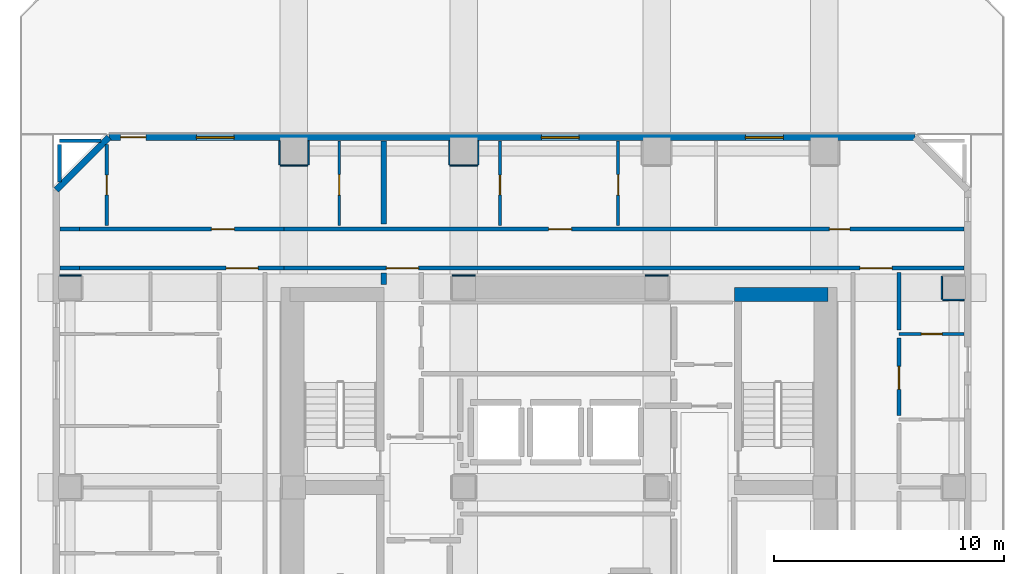
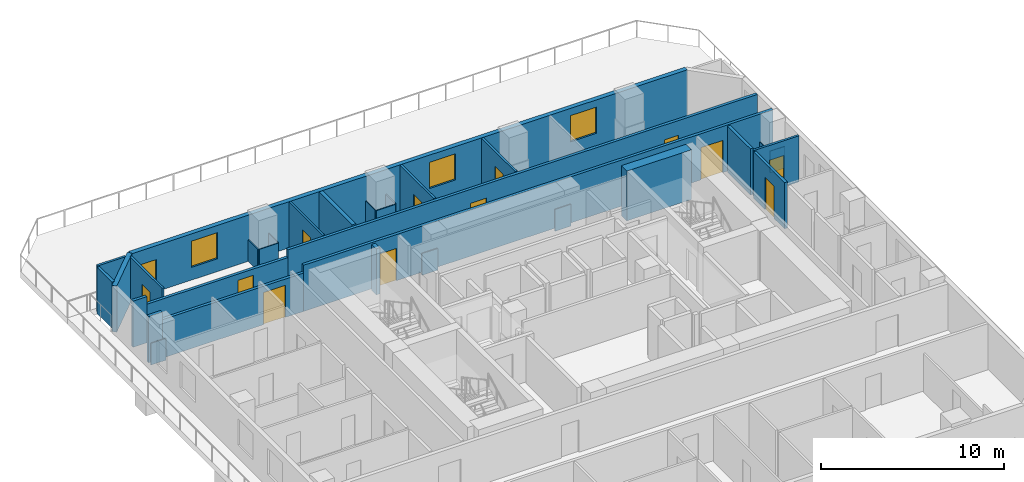
# One storey, part 6 of 11: 31 walls, 13 doors, 3 windows, 16 openings.
"""IFC4 building model written with IfcOpenShell, lengths in metres."""

from ifc_helpers import new_model, si_unit, direction, frame, frame_2d, origin, place, context, subcontext, project, spatial, rectangle, extrude, material, layer, layer_set, type_object, element, fill, save


model = new_model("IFC4")

# Units and contexts
model_context = context("Model", 3, precision=1e-05, world=origin(), true_north=direction((0.0, 1.0)))
body_context = subcontext(model_context, "Body", "Model", "MODEL_VIEW")
ifc_project = project(units=[si_unit("LENGTHUNIT", "METRE"), si_unit("AREAUNIT", "SQUARE_METRE"), si_unit("VOLUMEUNIT", "CUBIC_METRE"), si_unit("PLANEANGLEUNIT", "RADIAN"), si_unit("MASSUNIT", "GRAM", prefix="KILO")], contexts=[model_context])

# Site, building, storey
site_placement = place(None, origin())
site = spatial("IfcSite", under=ifc_project, at=site_placement, CompositionType="ELEMENT")
building_placement = place(site_placement, origin())
building = spatial("IfcBuilding", under=site, at=building_placement, Name="Solanera Arch Residences", CompositionType="ELEMENT")
storey_placement = place(building_placement, frame((0.0, 0.0, 106.080078125)))
storey = spatial("IfcBuildingStorey", under=building, at=storey_placement, Name="L30", CompositionType="ELEMENT", Elevation=106.080078125)

# Walls
ifc_material_1 = material(Name="Fire-Rated Gypsum Stud Partition", Category="gypsum")
ifc_layer_1 = layer(ifc_material_1, 0.06005859375)
ifc_layer_set_1 = layer_set([ifc_layer_1], Name="Fire-Rated Gypsum Stud Partition")
wall_type_1 = type_object("IfcWallType", Name="Column Acoustic Furring Wall 60", PredefinedType="PARTITIONING", material=ifc_layer_set_1)
for number, where, z_axis, x_axis, name in (
    (1, (20.300048828125, 39.931884765625, 0.0), (0.0, 0.0, 1.0), (1.0, 0.0, 0.0), "L30 Column Furring 3N"),
    (2, (28.699951171875, 39.931884765625, 0.0), (0.0, 0.0, 1.0), (1.0, 0.0, 0.0), "L30 Column Furring 4N"),
):
    element("IfcWall", number, at=place(storey_placement, frame(where, z_axis=z_axis, x_axis=x_axis)), inside=storey, type_object=wall_type_1, Name=name, PredefinedType="PARTITIONING", context=body_context, shape_type="SweptSolid", body=[
        extrude(rectangle(XDim=1.0, YDim=0.06005859375, at=frame_2d((0.5, 0.0))), origin(), (0.0, 0.0, 1.0), 1.449951171875),
    ])
wall_1_placement = place(storey_placement, frame((12.800048828125, 44.718017578125, 0.0), z_axis=(0.0, 0.0, 1.0), x_axis=(1.0, 0.0, 0.0)))
element("IfcWall", 3, at=wall_1_placement, inside=storey, type_object=wall_type_1, Name="L30 Column Furring 10S", PredefinedType="PARTITIONING", context=body_context, shape_type="SweptSolid", body=[
    extrude(rectangle(XDim=1.199951171875, YDim=0.06005859375, at=frame_2d((0.60009765625, 0.0))), origin(), (0.0, 0.0, 1.0), 1.449951171875),
])
for number, where, z_axis, x_axis, name in (
    (4, (12.76806640625, 44.75, 0.0), (0.0, 0.0, 1.0), (0.0, 1.0, 0.0), "L30 Column Furring 10W"),
    (5, (14.031982421875, 44.75, 0.0), (0.0, 0.0, 1.0), (0.0, 1.0, 0.0), "L30 Column Furring 10E"),
):
    element("IfcWall", number, at=place(storey_placement, frame(where, z_axis=z_axis, x_axis=x_axis)), inside=storey, type_object=wall_type_1, Name=name, PredefinedType="PARTITIONING", context=body_context, shape_type="SweptSolid", body=[
        extrude(rectangle(XDim=1.0400390625, YDim=0.06005859375, at=frame_2d((0.52001953125, 0.0))), origin(), (0.0, 0.0, 1.0), 1.449951171875),
    ])
wall_2_placement = place(storey_placement, frame((20.199951171875, 44.718017578125, 0.0), z_axis=(0.0, 0.0, 1.0), x_axis=(1.0, 0.0, 0.0)))
element("IfcWall", 6, at=wall_2_placement, inside=storey, type_object=wall_type_1, Name="L30 Column Furring 12S", PredefinedType="PARTITIONING", context=body_context, shape_type="SweptSolid", body=[
    extrude(rectangle(XDim=1.199951171875, YDim=0.06005859375, at=frame_2d((0.60009765625, 0.0))), origin(), (0.0, 0.0, 1.0), 1.449951171875),
])
for number, where, z_axis, x_axis, name in (
    (7, (20.16796875, 44.75, 0.0), (0.0, 0.0, 1.0), (0.0, 1.0, 0.0), "L30 Column Furring 12W"),
    (8, (21.431884765625, 44.75, 0.0), (0.0, 0.0, 1.0), (0.0, 1.0, 0.0), "L30 Column Furring 12E"),
):
    element("IfcWall", number, at=place(storey_placement, frame(where, z_axis=z_axis, x_axis=x_axis)), inside=storey, type_object=wall_type_1, Name=name, PredefinedType="PARTITIONING", context=body_context, shape_type="SweptSolid", body=[
        extrude(rectangle(XDim=1.0400390625, YDim=0.06005859375, at=frame_2d((0.52001953125, 0.0))), origin(), (0.0, 0.0, 1.0), 1.449951171875),
    ])
wall_3_placement = place(storey_placement, frame((3.2099609375, 39.931884765625, 0.0), z_axis=(0.0, 0.0, 1.0), x_axis=(1.0, 0.0, 0.0)))
element("IfcWall", 9, at=wall_3_placement, inside=storey, type_object=wall_type_1, Name="L30 Column Furring 21N", PredefinedType="PARTITIONING", context=body_context, shape_type="SweptSolid", body=[
    extrude(rectangle(XDim=0.93994140625, YDim=0.06005859375, at=frame_2d((0.469970703125, 0.0))), origin(), (0.0, 0.0, 1.0), 1.449951171875),
])
wall_4_placement = place(storey_placement, frame((41.64990234375, 38.867919921875, 0.0), z_axis=(0.0, 0.0, 1.0), x_axis=(1.0, 0.0, 0.0)))
element("IfcWall", 10, at=wall_4_placement, inside=storey, type_object=wall_type_1, Name="L30 Column Furring 22S", PredefinedType="PARTITIONING", context=body_context, shape_type="SweptSolid", body=[
    extrude(rectangle(XDim=0.940185546875, YDim=0.06005859375, at=frame_2d((0.47021484375, 0.0))), origin(), (0.0, 0.0, 1.0), 1.449951171875),
])
wall_5_placement = place(storey_placement, frame((41.617919921875, 38.89990234375, 0.0), z_axis=(0.0, 0.0, 1.0), x_axis=(0.0, 1.0, 0.0)))
element("IfcWall", 11, at=wall_5_placement, inside=storey, type_object=wall_type_1, Name="L30 Column Furring 22W", PredefinedType="PARTITIONING", context=body_context, shape_type="SweptSolid", body=[
    extrude(rectangle(XDim=1.0, YDim=0.06005859375, at=frame_2d((0.5, 0.0))), origin(), (0.0, 0.0, 1.0), 1.449951171875),
])
ifc_material_2 = material(Name="Concrete C40/50 (f'c = 45 MPa)", Category="concrete")
ifc_layer_2 = layer(ifc_material_2, 0.60009765625)
ifc_layer_set_2 = layer_set([ifc_layer_2], Name="Concrete C40/50 (f'c = 45 MPa)")
wall_type_2 = type_object("IfcWallType", Name="Core Shear Wall CW-600", PredefinedType="SHEAR", material=ifc_layer_set_2)
wall_6_placement = place(storey_placement, frame((32.580078125, 39.10009765625, 0.0), z_axis=(0.0, 0.0, 1.0), x_axis=(1.0, 0.0, 0.0)))
element("IfcWall", 12, at=wall_6_placement, inside=storey, type_object=wall_type_2, Name="L30 North-East Core Shear Wall", PredefinedType="SHEAR", context=body_context, shape_type="SweptSolid", body=[
    extrude(rectangle(XDim=4.079833984375, YDim=0.60009765625, at=frame_2d((2.0400390625, 0.0))), origin(), (0.0, 0.0, 1.0), 3.31982421875),
])
ifc_material_3 = material(Name="Autoclaved Aerated Concrete Blockwork", Category="masonry")
ifc_layer_3 = layer(ifc_material_3, 0.179931640625)
ifc_layer_set_3 = layer_set([ifc_layer_3], Name="Autoclaved Aerated Concrete Blockwork")
wall_type_3 = type_object("IfcWallType", Name="Corridor Fire Partition 180", PredefinedType="PARTITIONING", material=ifc_layer_set_3)
wall_7_placement = place(storey_placement, frame((3.20703125, 40.25, 0.0), z_axis=(0.0, 0.0, 1.0), x_axis=(1.0, 0.0, 0.0)))
element("IfcWall", 13, at=wall_7_placement, inside=storey, type_object=wall_type_3, Name="L30 Interior Partition H11 1", PredefinedType="PARTITIONING", context=body_context, shape_type="SweptSolid", body=[
    extrude(rectangle(XDim=0.864013671875, YDim=0.179931640625, at=frame_2d((0.43212890625, 0.0))), origin(), (0.0, 0.0, 1.0), 3.079833984375),
])

# Wall, opening, door
wall_8_placement = place(storey_placement, frame((4.071044921875, 40.25, 0.0), z_axis=(0.0, 0.0, 1.0), x_axis=(1.0, 0.0, 0.0)))
wall_8 = element("IfcWall", 14, at=wall_8_placement, inside=storey, type_object=wall_type_3, Name="L30 Interior Partition H11 2", PredefinedType="PARTITIONING", context=body_context, shape_type="SweptSolid", body=[
    extrude(rectangle(XDim=8.907958984375, YDim=0.179931640625, at=frame_2d((4.4541015625, 0.0))), origin(), (0.0, 0.0, 1.0), 2.56494140625),
])
opening_1_placement = place(wall_8_placement, frame((6.37890625, 0.0, 0.0)))
opening_1 = element("IfcOpeningElement", 15, at=opening_1_placement, cuts=wall_8, Name="Opening DF-03", PredefinedType="OPENING", context=body_context, shape_type="SweptSolid", body=[
    extrude(rectangle(XDim=1.39990234375, YDim=2.14990234375, at=frame_2d((0.699951171875, 1.074951171875))), frame((0.0, 0.10009765625, 0.0), z_axis=(0.0, -1.0, 0.0), x_axis=(1.0, 0.0, 0.0)), (0.0, 0.0, 1.0), 0.1999),
])
ifc_material_4 = material(Name="Fire-Rated Architectural Hardwood", Category="wood")
door_type_1 = type_object("IfcDoorType", Name="Corridor Smoke Door DF-03", OperationType="NOTDEFINED", PredefinedType="DOOR", material=ifc_material_4)
door_1_placement = place(opening_1_placement, origin())
door_1 = element("IfcDoor", 16, at=door_1_placement, inside=storey, type_object=door_type_1, Name="DR-L30-IN-012", OperationType="SINGLE_SWING_LEFT", OverallHeight=2.14990234375, OverallWidth=1.39990234375, PredefinedType="DOOR", context=body_context, shape_type="SweptSolid", body=[
    extrude(rectangle(XDim=1.39990234375, YDim=2.14990234375, at=frame_2d((0.699951171875, 1.074951171875))), frame((0.0, 0.02490234375, 0.0), z_axis=(0.0, -1.0, 0.0), x_axis=(1.0, 0.0, 0.0)), (0.0, 0.0, 1.0), 0.050048828125),
])
fill(opening_1, door_1)

# Wall, openings, doors
wall_9_placement = place(storey_placement, frame((12.97900390625, 40.25, 0.0), z_axis=(0.0, 0.0, 1.0), x_axis=(1.0, 0.0, 0.0)))
wall_9 = element("IfcWall", 17, at=wall_9_placement, inside=storey, type_object=wall_type_3, Name="L30 Interior Partition H11 3", PredefinedType="PARTITIONING", context=body_context, shape_type="SweptSolid", body=[
    extrude(rectangle(XDim=29.614013671875, YDim=0.179931640625, at=frame_2d((14.80712890625, 0.0))), origin(), (0.0, 0.0, 1.0), 3.079833984375),
])
opening_2_placement = place(wall_9_placement, frame((4.4560546875, 0.0, 0.0)))
opening_2 = element("IfcOpeningElement", 18, at=opening_2_placement, cuts=wall_9, Name="Opening DF-03", PredefinedType="OPENING", context=body_context, shape_type="SweptSolid", body=[
    extrude(rectangle(XDim=1.39990234375, YDim=2.14990234375, at=frame_2d((0.699951171875, 1.074951171875))), frame((0.0, 0.10009765625, 0.0), z_axis=(0.0, -1.0, 0.0), x_axis=(1.0, 0.0, 0.0)), (0.0, 0.0, 1.0), 0.1999),
])
opening_3_placement = place(wall_9_placement, frame((25.071044921875, 0.0, 0.0)))
opening_3 = element("IfcOpeningElement", 19, at=opening_3_placement, cuts=wall_9, Name="Opening DF-03", PredefinedType="OPENING", context=body_context, shape_type="SweptSolid", body=[
    extrude(rectangle(XDim=1.39990234375, YDim=2.14990234375, at=frame_2d((0.699951171875, 1.074951171875))), frame((0.0, 0.10009765625, 0.0), z_axis=(0.0, -1.0, 0.0), x_axis=(1.0, 0.0, 0.0)), (0.0, 0.0, 1.0), 0.1999),
])
door_2_placement = place(opening_2_placement, origin())
door_2 = element("IfcDoor", 20, at=door_2_placement, inside=storey, type_object=door_type_1, Name="DR-L30-IN-009", OperationType="SINGLE_SWING_RIGHT", OverallHeight=2.14990234375, OverallWidth=1.39990234375, PredefinedType="DOOR", context=body_context, shape_type="SweptSolid", body=[
    extrude(rectangle(XDim=1.39990234375, YDim=2.14990234375, at=frame_2d((0.699951171875, 1.074951171875))), frame((0.0, 0.02490234375, 0.0), z_axis=(0.0, -1.0, 0.0), x_axis=(1.0, 0.0, 0.0)), (0.0, 0.0, 1.0), 0.050048828125),
])
fill(opening_2, door_2)
door_3_placement = place(opening_3_placement, origin())
door_3 = element("IfcDoor", 21, at=door_3_placement, inside=storey, type_object=door_type_1, Name="DR-L30-IN-013", OperationType="SINGLE_SWING_RIGHT", OverallHeight=2.14990234375, OverallWidth=1.39990234375, PredefinedType="DOOR", context=body_context, shape_type="SweptSolid", body=[
    extrude(rectangle(XDim=1.39990234375, YDim=2.14990234375, at=frame_2d((0.699951171875, 1.074951171875))), frame((0.0, 0.02490234375, 0.0), z_axis=(0.0, -1.0, 0.0), x_axis=(1.0, 0.0, 0.0)), (0.0, 0.0, 1.0), 0.050048828125),
])
fill(opening_3, door_3)

# Wall
wall_10_placement = place(storey_placement, frame((3.20703125, 41.949951171875, 0.0), z_axis=(0.0, 0.0, 1.0), x_axis=(1.0, 0.0, 0.0)))
element("IfcWall", 22, at=wall_10_placement, inside=storey, type_object=wall_type_3, Name="L30 Interior Partition H12 1", PredefinedType="PARTITIONING", context=body_context, shape_type="SweptSolid", body=[
    extrude(rectangle(XDim=0.864013671875, YDim=0.179931640625, at=frame_2d((0.43212890625, 0.0))), origin(), (0.0, 0.0, 1.0), 3.079833984375),
])

# Wall, opening, door
wall_11_placement = place(storey_placement, frame((4.071044921875, 41.949951171875, 0.0), z_axis=(0.0, 0.0, 1.0), x_axis=(1.0, 0.0, 0.0)))
wall_11 = element("IfcWall", 23, at=wall_11_placement, inside=storey, type_object=wall_type_3, Name="L30 Interior Partition H12 2", PredefinedType="PARTITIONING", context=body_context, shape_type="SweptSolid", body=[
    extrude(rectangle(XDim=8.907958984375, YDim=0.179931640625, at=frame_2d((4.4541015625, 0.0))), origin(), (0.0, 0.0, 1.0), 2.56494140625),
])
opening_4_placement = place(wall_11_placement, frame((5.741943359375, 0.0, 0.0)))
opening_4 = element("IfcOpeningElement", 24, at=opening_4_placement, cuts=wall_11, Name="Opening DI-01", PredefinedType="OPENING", context=body_context, shape_type="SweptSolid", body=[
    extrude(rectangle(XDim=1.0, YDim=2.14990234375, at=frame_2d((0.5, 1.074951171875))), frame((0.0, 0.10009765625, 0.0), z_axis=(0.0, -1.0, 0.0), x_axis=(1.0, 0.0, 0.0)), (0.0, 0.0, 1.0), 0.1999),
])
ifc_material_5 = material(Name="Fire-Rated Architectural Hardwood", Category="wood")
door_type_2 = type_object("IfcDoorType", Name="Unit Entrance Fire Door DI-01", OperationType="NOTDEFINED", PredefinedType="DOOR", material=ifc_material_5)
door_4_placement = place(opening_4_placement, origin())
door_4 = element("IfcDoor", 25, at=door_4_placement, inside=storey, type_object=door_type_2, Name="DR-L30-IN-029", OperationType="SINGLE_SWING_RIGHT", OverallHeight=2.14990234375, OverallWidth=1.0, PredefinedType="DOOR", context=body_context, shape_type="SweptSolid", body=[
    extrude(rectangle(XDim=1.0, YDim=2.14990234375, at=frame_2d((0.5, 1.074951171875))), frame((0.0, 0.02490234375, 0.0), z_axis=(0.0, -1.0, 0.0), x_axis=(1.0, 0.0, 0.0)), (0.0, 0.0, 1.0), 0.050048828125),
])
fill(opening_4, door_4)

# Wall, openings, doors
wall_12_placement = place(storey_placement, frame((12.97900390625, 41.949951171875, 0.0), z_axis=(0.0, 0.0, 1.0), x_axis=(1.0, 0.0, 0.0)))
wall_12 = element("IfcWall", 26, at=wall_12_placement, inside=storey, type_object=wall_type_3, Name="L30 Interior Partition H12 3", PredefinedType="PARTITIONING", context=body_context, shape_type="SweptSolid", body=[
    extrude(rectangle(XDim=29.614013671875, YDim=0.179931640625, at=frame_2d((14.80712890625, 0.0))), origin(), (0.0, 0.0, 1.0), 3.079833984375),
])
opening_5_placement = place(wall_12_placement, frame((11.52099609375, 0.0, 0.0)))
opening_5 = element("IfcOpeningElement", 27, at=opening_5_placement, cuts=wall_12, Name="Opening DI-01", PredefinedType="OPENING", context=body_context, shape_type="SweptSolid", body=[
    extrude(rectangle(XDim=1.0, YDim=2.14990234375, at=frame_2d((0.5, 1.074951171875))), frame((0.0, 0.10009765625, 0.0), z_axis=(0.0, -1.0, 0.0), x_axis=(1.0, 0.0, 0.0)), (0.0, 0.0, 1.0), 0.1999),
])
opening_6_placement = place(wall_12_placement, frame((23.736083984375, 0.0, 0.0)))
opening_6 = element("IfcOpeningElement", 28, at=opening_6_placement, cuts=wall_12, Name="Opening DI-02", PredefinedType="OPENING", context=body_context, shape_type="SweptSolid", body=[
    extrude(rectangle(XDim=0.89990234375, YDim=2.10009765625, at=frame_2d((0.449951171875, 1.050048828125))), frame((0.0, 0.10009765625, 0.0), z_axis=(0.0, -1.0, 0.0), x_axis=(1.0, 0.0, 0.0)), (0.0, 0.0, 1.0), 0.1999),
])
ifc_material_6 = material(Name="Fire-Rated Architectural Hardwood", Category="wood")
door_type_3 = type_object("IfcDoorType", Name="Suite Room Swing Door DI-02", OperationType="NOTDEFINED", PredefinedType="DOOR", material=ifc_material_6)
door_5_placement = place(opening_6_placement, origin())
door_5 = element("IfcDoor", 29, at=door_5_placement, inside=storey, type_object=door_type_3, Name="DR-L30-IN-035", OperationType="SINGLE_SWING_RIGHT", OverallHeight=2.10009765625, OverallWidth=0.89990234375, PredefinedType="DOOR", context=body_context, shape_type="SweptSolid", body=[
    extrude(rectangle(XDim=0.89990234375, YDim=2.10009765625, at=frame_2d((0.449951171875, 1.050048828125))), frame((0.0, 0.02490234375, 0.0), z_axis=(0.0, -1.0, 0.0), x_axis=(1.0, 0.0, 0.0)), (0.0, 0.0, 1.0), 0.050048828125),
])
fill(opening_6, door_5)
door_6_placement = place(opening_5_placement, origin())
door_6 = element("IfcDoor", 30, at=door_6_placement, inside=storey, type_object=door_type_2, Name="DR-L30-IN-032", OperationType="SINGLE_SWING_LEFT", OverallHeight=2.14990234375, OverallWidth=1.0, PredefinedType="DOOR", context=body_context, shape_type="SweptSolid", body=[
    extrude(rectangle(XDim=1.0, YDim=2.14990234375, at=frame_2d((0.5, 1.074951171875))), frame((0.0, 0.02490234375, 0.0), z_axis=(0.0, -1.0, 0.0), x_axis=(1.0, 0.0, 0.0)), (0.0, 0.0, 1.0), 0.050048828125),
])
fill(opening_5, door_6)

# Wall
wall_13_placement = place(storey_placement, frame((3.199951171875, 44.0048828125, 0.0), z_axis=(0.0, 0.0, 1.0), x_axis=(0.0, 1.0, 0.0)))
element("IfcWall", 31, at=wall_13_placement, inside=storey, type_object=wall_type_3, Name="L30 Interior Partition V8 2", PredefinedType="PARTITIONING", context=body_context, shape_type="SweptSolid", body=[
    extrude(rectangle(XDim=1.627197265625, YDim=0.179931640625, at=frame_2d((0.8134765625, 0.0))), origin(), (0.0, 0.0, 1.0), 3.079833984375),
])

# Wall, opening, door
wall_14_placement = place(storey_placement, frame((39.75, 33.830078125, 0.0), z_axis=(0.0, 0.0, 1.0), x_axis=(0.0, 1.0, 0.0)))
wall_14 = element("IfcWall", 32, at=wall_14_placement, inside=storey, type_object=wall_type_3, Name="L30 Interior Partition V13 5", PredefinedType="PARTITIONING", context=body_context, shape_type="SweptSolid", body=[
    extrude(rectangle(XDim=3.386962890625, YDim=0.179931640625, at=frame_2d((1.693359375, 0.0))), origin(), (0.0, 0.0, 1.0), 3.079833984375),
])
opening_7_placement = place(wall_14_placement, frame((1.14501953125, 0.0, 0.0)))
opening_7 = element("IfcOpeningElement", 33, at=opening_7_placement, cuts=wall_14, Name="Opening DI-01", PredefinedType="OPENING", context=body_context, shape_type="SweptSolid", body=[
    extrude(rectangle(XDim=1.0, YDim=2.14990234375, at=frame_2d((0.5, 1.074951171875))), frame((0.0, 0.10009765625, 0.0), z_axis=(0.0, -1.0, 0.0), x_axis=(1.0, 0.0, 0.0)), (0.0, 0.0, 1.0), 0.1999),
])
door_7_placement = place(opening_7_placement, origin())
door_7 = element("IfcDoor", 34, at=door_7_placement, inside=storey, type_object=door_type_2, Name="DR-L30-IN-047", OperationType="SINGLE_SWING_RIGHT", OverallHeight=2.14990234375, OverallWidth=1.0, PredefinedType="DOOR", context=body_context, shape_type="SweptSolid", body=[
    extrude(rectangle(XDim=1.0, YDim=2.14990234375, at=frame_2d((0.5, 1.074951171875))), frame((0.0, 0.02490234375, 0.0), z_axis=(0.0, -1.0, 0.0), x_axis=(1.0, 0.0, 0.0)), (0.0, 0.0, 1.0), 0.050048828125),
])
fill(opening_7, door_7)

# Walls
wall_15_placement = place(storey_placement, frame((39.75, 37.552978515625, 0.0), z_axis=(0.0, 0.0, 1.0), x_axis=(0.0, 1.0, 0.0)))
element("IfcWall", 35, at=wall_15_placement, inside=storey, type_object=wall_type_3, Name="L30 Interior Partition V13 6", PredefinedType="PARTITIONING", context=body_context, shape_type="SweptSolid", body=[
    extrude(rectangle(XDim=2.509033203125, YDim=0.179931640625, at=frame_2d((1.25439453125, 0.0))), origin(), (0.0, 0.0, 1.0), 3.079833984375),
])
ifc_material_7 = material(Name="Precast Concrete C35/45", Category="concrete")
ifc_layer_4 = layer(ifc_material_7, 0.280029296875)
ifc_layer_set_4 = layer_set([ifc_layer_4], Name="Precast Concrete C35/45")
wall_type_4 = type_object("IfcWallType", Name="Exterior Wall Precast Masonry-Frame 280", PredefinedType="STANDARD", material=ifc_layer_set_4)
wall_16_placement = place(storey_placement, frame((3.054931640625, 43.64501953125, 0.0), z_axis=(0.0, 0.0, 1.0), x_axis=(0.707106781187, 0.707106781187, 0.0)))
element("IfcWall", 36, at=wall_16_placement, inside=storey, type_object=wall_type_4, Name="L30 Tower Exterior Precast Masonry-Frame Wall CH1", PredefinedType="STANDARD", context=body_context, shape_type="SweptSolid", body=[
    extrude(rectangle(XDim=3.252685546875, YDim=0.280029296875, at=frame_2d((1.62646484375, 0.0))), origin(), (0.0, 0.0, 1.0), 3.079833984375),
])

# Wall, openings, door, windows
wall_17_placement = place(storey_placement, frame((5.35498046875, 45.945068359375, 0.0), z_axis=(0.0, 0.0, 1.0), x_axis=(1.0, 0.0, 0.0)))
wall_17 = element("IfcWall", 37, at=wall_17_placement, inside=storey, type_object=wall_type_4, Name="L30 Tower Exterior Precast Masonry-Frame Wall N", PredefinedType="STANDARD", context=body_context, shape_type="SweptSolid", body=[
    extrude(rectangle(XDim=35.090087890625, YDim=0.280029296875, at=frame_2d((17.544921875, 0.0))), origin(), (0.0, 0.0, 1.0), 3.079833984375),
])
opening_8_placement = place(wall_17_placement, frame((0.5029296875, 0.0, 0.0)))
opening_8 = element("IfcOpeningElement", 38, at=opening_8_placement, cuts=wall_17, Name="Opening DB-02", PredefinedType="OPENING", context=body_context, shape_type="SweptSolid", body=[
    extrude(rectangle(XDim=1.10009765625, YDim=2.14990234375, at=frame_2d((0.550048828125, 1.074951171875))), frame((0.0, 0.14990234375, 0.0), z_axis=(0.0, -1.0, 0.0), x_axis=(1.0, 0.0, 0.0)), (0.0, 0.0, 1.0), 0.3),
])
opening_9_placement = place(wall_17_placement, frame((3.799072265625, 0.0, 0.85009765625)))
opening_9 = element("IfcOpeningElement", 39, at=opening_9_placement, cuts=wall_17, Name="Opening W-08", PredefinedType="OPENING", context=body_context, shape_type="SweptSolid", body=[
    extrude(rectangle(XDim=1.64990234375, YDim=1.75, at=frame_2d((0.824951171875, 0.875))), frame((0.0, 0.14990234375, 0.0), z_axis=(0.0, -1.0, 0.0), x_axis=(1.0, 0.0, 0.0)), (0.0, 0.0, 1.0), 0.3),
])
opening_10_placement = place(wall_17_placement, frame((18.820068359375, 0.0, 0.85009765625)))
opening_10 = element("IfcOpeningElement", 40, at=opening_10_placement, cuts=wall_17, Name="Opening W-08", PredefinedType="OPENING", context=body_context, shape_type="SweptSolid", body=[
    extrude(rectangle(XDim=1.64990234375, YDim=1.75, at=frame_2d((0.824951171875, 0.875))), frame((0.0, 0.14990234375, 0.0), z_axis=(0.0, -1.0, 0.0), x_axis=(1.0, 0.0, 0.0)), (0.0, 0.0, 1.0), 0.3),
])
opening_11_placement = place(wall_17_placement, frame((27.708984375, 0.0, 0.85009765625)))
opening_11 = element("IfcOpeningElement", 41, at=opening_11_placement, cuts=wall_17, Name="Opening W-08", PredefinedType="OPENING", context=body_context, shape_type="SweptSolid", body=[
    extrude(rectangle(XDim=1.64990234375, YDim=1.75, at=frame_2d((0.824951171875, 0.875))), frame((0.0, 0.14990234375, 0.0), z_axis=(0.0, -1.0, 0.0), x_axis=(1.0, 0.0, 0.0)), (0.0, 0.0, 1.0), 0.3),
])
ifc_material_8 = material(Name="Anodised Aluminium Alloy 6063-T6", Category="aluminium")
door_type_4 = type_object("IfcDoorType", Name="Glazed Terrace Swing Door DB-02", OperationType="NOTDEFINED", PredefinedType="DOOR", material=ifc_material_8)
door_8_placement = place(opening_8_placement, origin())
door_8 = element("IfcDoor", 42, at=door_8_placement, inside=storey, type_object=door_type_4, Name="DR-L30-OUT-01", OperationType="SINGLE_SWING_RIGHT", OverallHeight=2.14990234375, OverallWidth=1.10009765625, PredefinedType="DOOR", context=body_context, shape_type="SweptSolid", body=[
    extrude(rectangle(XDim=1.10009765625, YDim=2.14990234375, at=frame_2d((0.550048828125, 1.074951171875))), frame((0.0, 0.02490234375, 0.0), z_axis=(0.0, -1.0, 0.0), x_axis=(1.0, 0.0, 0.0)), (0.0, 0.0, 1.0), 0.050048828125),
])
fill(opening_8, door_8)
ifc_material_9 = material(Name="Double Glazed Low-E Laminated Glass", Category="glass")
window_type = type_object("IfcWindowType", Name="Punched Window W-08", PartitioningType="DOUBLE_PANEL_HORIZONTAL", PredefinedType="WINDOW", material=ifc_material_9)
window_1_placement = place(opening_9_placement, origin())
window_1 = element("IfcWindow", 43, at=window_1_placement, inside=storey, type_object=window_type, Name="L30 3004-LIV Punched Window", OverallHeight=1.75, OverallWidth=1.64990234375, PartitioningType="SINGLE_PANEL", PredefinedType="WINDOW", context=body_context, shape_type="SweptSolid", body=[
    extrude(rectangle(XDim=1.64990234375, YDim=1.75, at=frame_2d((0.824951171875, 0.875))), frame((0.0, 0.030029296875, 0.0), z_axis=(0.0, -1.0, 0.0), x_axis=(1.0, 0.0, 0.0)), (0.0, 0.0, 1.0), 0.06005859375),
])
fill(opening_9, window_1)
window_2_placement = place(opening_10_placement, origin())
window_2 = element("IfcWindow", 44, at=window_2_placement, inside=storey, type_object=window_type, Name="L30 3005-LIV Punched Window", OverallHeight=1.75, OverallWidth=1.64990234375, PartitioningType="SINGLE_PANEL", PredefinedType="WINDOW", context=body_context, shape_type="SweptSolid", body=[
    extrude(rectangle(XDim=1.64990234375, YDim=1.75, at=frame_2d((0.824951171875, 0.875))), frame((0.0, 0.030029296875, 0.0), z_axis=(0.0, -1.0, 0.0), x_axis=(1.0, 0.0, 0.0)), (0.0, 0.0, 1.0), 0.06005859375),
])
fill(opening_10, window_2)
window_3_placement = place(opening_11_placement, origin())
window_3 = element("IfcWindow", 45, at=window_3_placement, inside=storey, type_object=window_type, Name="L30 AMN-OFF Punched Window", OverallHeight=1.75, OverallWidth=1.64990234375, PartitioningType="SINGLE_PANEL", PredefinedType="WINDOW", context=body_context, shape_type="SweptSolid", body=[
    extrude(rectangle(XDim=1.64990234375, YDim=1.75, at=frame_2d((0.824951171875, 0.875))), frame((0.0, 0.030029296875, 0.0), z_axis=(0.0, -1.0, 0.0), x_axis=(1.0, 0.0, 0.0)), (0.0, 0.0, 1.0), 0.06005859375),
])
fill(opening_11, window_3)

# Walls
ifc_material_10 = material(Name="Autoclaved Aerated Concrete Blockwork", Category="masonry")
ifc_layer_5 = layer(ifc_material_10, 0.239990234375)
ifc_layer_set_5 = layer_set([ifc_layer_5], Name="Autoclaved Aerated Concrete Blockwork")
wall_type_5 = type_object("IfcWallType", Name="Shaft Wall Fire-Rated 240", PredefinedType="PARTITIONING", material=ifc_layer_set_5)
wall_18_placement = place(storey_placement, frame((17.320068359375, 39.530029296875, 0.0), z_axis=(0.0, 0.0, 1.0), x_axis=(0.0, 1.0, 0.0)))
element("IfcWall", 46, at=wall_18_placement, inside=storey, type_object=wall_type_5, Name="L30 Interior Partition V1", PredefinedType="PARTITIONING", context=body_context, shape_type="SweptSolid", body=[
    extrude(rectangle(XDim=0.501953125, YDim=0.239990234375, at=frame_2d((0.2509765625, 0.0))), origin(), (0.0, 0.0, 1.0), 3.079833984375),
])
wall_19_placement = place(storey_placement, frame((17.320068359375, 42.16796875, 0.0), z_axis=(0.0, 0.0, 1.0), x_axis=(0.0, 1.0, 0.0)))
element("IfcWall", 47, at=wall_19_placement, inside=storey, type_object=wall_type_5, Name="L30 Interior Partition V2", PredefinedType="PARTITIONING", context=body_context, shape_type="SweptSolid", body=[
    extrude(rectangle(XDim=3.625, YDim=0.239990234375, at=frame_2d((1.8125, 0.0))), origin(), (0.0, 0.0, 1.0), 3.079833984375),
])

# Wall, opening, door
ifc_material_11 = material(Name="Fire-Rated Gypsum Stud Partition", Category="gypsum")
ifc_layer_6 = layer(ifc_material_11, 0.1201171875)
ifc_layer_set_6 = layer_set([ifc_layer_6], Name="Fire-Rated Gypsum Stud Partition")
wall_type_6 = type_object("IfcWallType", Name="Unit Drywall Partition 120", PredefinedType="PARTITIONING", material=ifc_layer_set_6)
wall_20_placement = place(storey_placement, frame((15.3759765625, 42.10791015625, 0.0), z_axis=(0.0, 0.0, 1.0), x_axis=(0.0, 1.0, 0.0)))
wall_20 = element("IfcWall", 48, at=wall_20_placement, inside=storey, type_object=wall_type_6, Name="L30 Interior Partition V26", PredefinedType="PARTITIONING", context=body_context, shape_type="SweptSolid", body=[
    extrude(rectangle(XDim=3.68505859375, YDim=0.1201171875, at=frame_2d((1.842529296875, 0.0))), origin(), (0.0, 0.0, 1.0), 3.079833984375),
])
opening_12_placement = place(wall_20_placement, frame((1.31689453125, 0.0, 0.0)))
opening_12 = element("IfcOpeningElement", 49, at=opening_12_placement, cuts=wall_20, Name="Opening DI-02", PredefinedType="OPENING", context=body_context, shape_type="SweptSolid", body=[
    extrude(rectangle(XDim=0.89990234375, YDim=2.10009765625, at=frame_2d((0.449951171875, 1.050048828125))), frame((0.0, 0.070068359375, 0.0), z_axis=(0.0, -1.0, 0.0), x_axis=(1.0, 0.0, 0.0)), (0.0, 0.0, 1.0), 0.1401),
])
door_9_placement = place(opening_12_placement, origin())
door_9 = element("IfcDoor", 50, at=door_9_placement, inside=storey, type_object=door_type_3, Name="DR-L30-IN-031", OperationType="SINGLE_SWING_RIGHT", OverallHeight=2.10009765625, OverallWidth=0.89990234375, PredefinedType="DOOR", context=body_context, shape_type="SweptSolid", body=[
    extrude(rectangle(XDim=0.89990234375, YDim=2.10009765625, at=frame_2d((0.449951171875, 1.050048828125))), frame((0.0, 0.02490234375, 0.0), z_axis=(0.0, -1.0, 0.0), x_axis=(1.0, 0.0, 0.0)), (0.0, 0.0, 1.0), 0.050048828125),
])
fill(opening_12, door_9)

ifc_material_12 = material(Name="Autoclaved Aerated Concrete Blockwork", Category="masonry")
ifc_layer_7 = layer(ifc_material_12, 0.139892578125)
ifc_layer_set_7 = layer_set([ifc_layer_7], Name="Autoclaved Aerated Concrete Blockwork")
wall_type_7 = type_object("IfcWallType", Name="Wet-Room Partition 140", PredefinedType="PARTITIONING", material=ifc_layer_set_7)
wall_21_placement = place(storey_placement, frame((39.75, 37.385009765625, 0.0), z_axis=(0.0, 0.0, 1.0), x_axis=(1.0, 0.0, 0.0)))
wall_21 = element("IfcWall", 51, at=wall_21_placement, inside=storey, type_object=wall_type_7, Name="L30 Interior Partition H23", PredefinedType="PARTITIONING", context=body_context, shape_type="SweptSolid", body=[
    extrude(rectangle(XDim=2.843017578125, YDim=0.139892578125, at=frame_2d((1.42138671875, 0.0))), origin(), (0.0, 0.0, 1.0), 3.079833984375),
])
opening_13_placement = place(wall_21_placement, frame((0.97509765625, 0.0, 0.0)))
opening_13 = element("IfcOpeningElement", 52, at=opening_13_placement, cuts=wall_21, Name="Opening DI-02", PredefinedType="OPENING", context=body_context, shape_type="SweptSolid", body=[
    extrude(rectangle(XDim=0.89990234375, YDim=2.10009765625, at=frame_2d((0.449951171875, 1.050048828125))), frame((0.0, 0.079833984375, 0.0), z_axis=(0.0, -1.0, 0.0), x_axis=(1.0, 0.0, 0.0)), (0.0, 0.0, 1.0), 0.1599),
])
door_10_placement = place(opening_13_placement, origin())
door_10 = element("IfcDoor", 53, at=door_10_placement, inside=storey, type_object=door_type_3, Name="DR-L30-IN-049", OperationType="SINGLE_SWING_RIGHT", OverallHeight=2.10009765625, OverallWidth=0.89990234375, PredefinedType="DOOR", context=body_context, shape_type="SweptSolid", body=[
    extrude(rectangle(XDim=0.89990234375, YDim=2.10009765625, at=frame_2d((0.449951171875, 1.050048828125))), frame((0.0, 0.02490234375, 0.0), z_axis=(0.0, -1.0, 0.0), x_axis=(1.0, 0.0, 0.0)), (0.0, 0.0, 1.0), 0.050048828125),
])
fill(opening_13, door_10)

# Wall
wall_22_placement = place(storey_placement, frame((3.199951171875, 45.800048828125, 0.0), z_axis=(0.0, 0.0, 1.0), x_axis=(1.0, 0.0, 0.0)))
element("IfcWall", 54, at=wall_22_placement, inside=storey, type_object=wall_type_7, Name="L30 Interior Partition H24 1", PredefinedType="PARTITIONING", context=body_context, shape_type="SweptSolid", body=[
    extrude(rectangle(XDim=1.795166015625, YDim=0.139892578125, at=frame_2d((0.8974609375, 0.0))), origin(), (0.0, 0.0, 1.0), 3.079833984375),
])

# Wall, opening, door
wall_23_placement = place(storey_placement, frame((5.25, 42.117919921875, 0.0), z_axis=(0.0, 0.0, 1.0), x_axis=(0.0, 1.0, 0.0)))
wall_23 = element("IfcWall", 55, at=wall_23_placement, inside=storey, type_object=wall_type_7, Name="L30 Interior Partition V15", PredefinedType="PARTITIONING", context=body_context, shape_type="SweptSolid", body=[
    extrude(rectangle(XDim=3.507080078125, YDim=0.139892578125, at=frame_2d((1.75341796875, 0.0))), origin(), (0.0, 0.0, 1.0), 3.079833984375),
])
opening_14_placement = place(wall_23_placement, frame((1.326904296875, 0.0, 0.0)))
opening_14 = element("IfcOpeningElement", 56, at=opening_14_placement, cuts=wall_23, Name="Opening DI-05", PredefinedType="OPENING", context=body_context, shape_type="SweptSolid", body=[
    extrude(rectangle(XDim=0.860107421875, YDim=2.02001953125, at=frame_2d((0.43017578125, 1.010009765625))), frame((0.0, 0.079833984375, 0.0), z_axis=(0.0, -1.0, 0.0), x_axis=(1.0, 0.0, 0.0)), (0.0, 0.0, 1.0), 0.1599),
])
ifc_material_13 = material(Name="Fire-Rated Architectural Hardwood", Category="wood")
door_type_5 = type_object("IfcDoorType", Name="Bathroom Swing Door DI-05", OperationType="NOTDEFINED", PredefinedType="DOOR", material=ifc_material_13)
door_11_placement = place(opening_14_placement, origin())
door_11 = element("IfcDoor", 57, at=door_11_placement, inside=storey, type_object=door_type_5, Name="DR-L30-IN-030", OperationType="SINGLE_SWING_LEFT", OverallHeight=2.02001953125, OverallWidth=0.860107421875, PredefinedType="DOOR", context=body_context, shape_type="SweptSolid", body=[
    extrude(rectangle(XDim=0.860107421875, YDim=2.02001953125, at=frame_2d((0.43017578125, 1.010009765625))), frame((0.0, 0.02490234375, 0.0), z_axis=(0.0, -1.0, 0.0), x_axis=(1.0, 0.0, 0.0)), (0.0, 0.0, 1.0), 0.050048828125),
])
fill(opening_14, door_11)

wall_24_placement = place(storey_placement, frame((22.3798828125, 42.117919921875, 0.0), z_axis=(0.0, 0.0, 1.0), x_axis=(0.0, 1.0, 0.0)))
wall_24 = element("IfcWall", 58, at=wall_24_placement, inside=storey, type_object=wall_type_7, Name="L30 Interior Partition V21", PredefinedType="PARTITIONING", context=body_context, shape_type="SweptSolid", body=[
    extrude(rectangle(XDim=3.675048828125, YDim=0.139892578125, at=frame_2d((1.83740234375, 0.0))), origin(), (0.0, 0.0, 1.0), 3.079833984375),
])
opening_15_placement = place(wall_24_placement, frame((1.326904296875, 0.0, 0.0)))
opening_15 = element("IfcOpeningElement", 59, at=opening_15_placement, cuts=wall_24, Name="Opening DI-05", PredefinedType="OPENING", context=body_context, shape_type="SweptSolid", body=[
    extrude(rectangle(XDim=0.860107421875, YDim=2.02001953125, at=frame_2d((0.43017578125, 1.010009765625))), frame((0.0, 0.079833984375, 0.0), z_axis=(0.0, -1.0, 0.0), x_axis=(1.0, 0.0, 0.0)), (0.0, 0.0, 1.0), 0.1599),
])
door_12_placement = place(opening_15_placement, origin())
door_12 = element("IfcDoor", 60, at=door_12_placement, inside=storey, type_object=door_type_5, Name="DR-L30-IN-033", OperationType="SINGLE_SWING_RIGHT", OverallHeight=2.02001953125, OverallWidth=0.860107421875, PredefinedType="DOOR", context=body_context, shape_type="SweptSolid", body=[
    extrude(rectangle(XDim=0.860107421875, YDim=2.02001953125, at=frame_2d((0.43017578125, 1.010009765625))), frame((0.0, 0.02490234375, 0.0), z_axis=(0.0, -1.0, 0.0), x_axis=(1.0, 0.0, 0.0)), (0.0, 0.0, 1.0), 0.050048828125),
])
fill(opening_15, door_12)

wall_25_placement = place(storey_placement, frame((27.52001953125, 42.117919921875, 0.0), z_axis=(0.0, 0.0, 1.0), x_axis=(0.0, 1.0, 0.0)))
wall_25 = element("IfcWall", 61, at=wall_25_placement, inside=storey, type_object=wall_type_7, Name="L30 Interior Partition V23", PredefinedType="PARTITIONING", context=body_context, shape_type="SweptSolid", body=[
    extrude(rectangle(XDim=3.675048828125, YDim=0.139892578125, at=frame_2d((1.83740234375, 0.0))), origin(), (0.0, 0.0, 1.0), 3.079833984375),
])
opening_16_placement = place(wall_25_placement, frame((1.306884765625, 0.0, 0.0)))
opening_16 = element("IfcOpeningElement", 62, at=opening_16_placement, cuts=wall_25, Name="Opening DI-02", PredefinedType="OPENING", context=body_context, shape_type="SweptSolid", body=[
    extrude(rectangle(XDim=0.89990234375, YDim=2.10009765625, at=frame_2d((0.449951171875, 1.050048828125))), frame((0.0, 0.079833984375, 0.0), z_axis=(0.0, -1.0, 0.0), x_axis=(1.0, 0.0, 0.0)), (0.0, 0.0, 1.0), 0.1599),
])
door_13_placement = place(opening_16_placement, origin())
door_13 = element("IfcDoor", 63, at=door_13_placement, inside=storey, type_object=door_type_3, Name="DR-L30-IN-034", OperationType="SINGLE_SWING_LEFT", OverallHeight=2.10009765625, OverallWidth=0.89990234375, PredefinedType="DOOR", context=body_context, shape_type="SweptSolid", body=[
    extrude(rectangle(XDim=0.89990234375, YDim=2.10009765625, at=frame_2d((0.449951171875, 1.050048828125))), frame((0.0, 0.02490234375, 0.0), z_axis=(0.0, -1.0, 0.0), x_axis=(1.0, 0.0, 0.0)), (0.0, 0.0, 1.0), 0.050048828125),
])
fill(opening_16, door_13)

save(model, "model.ifc")
